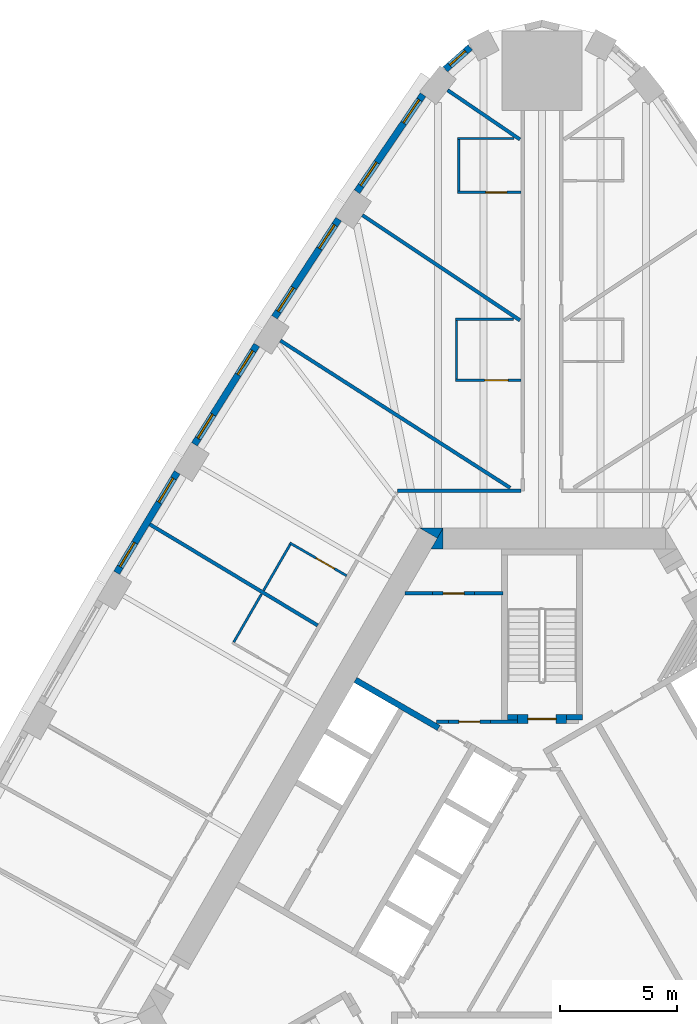
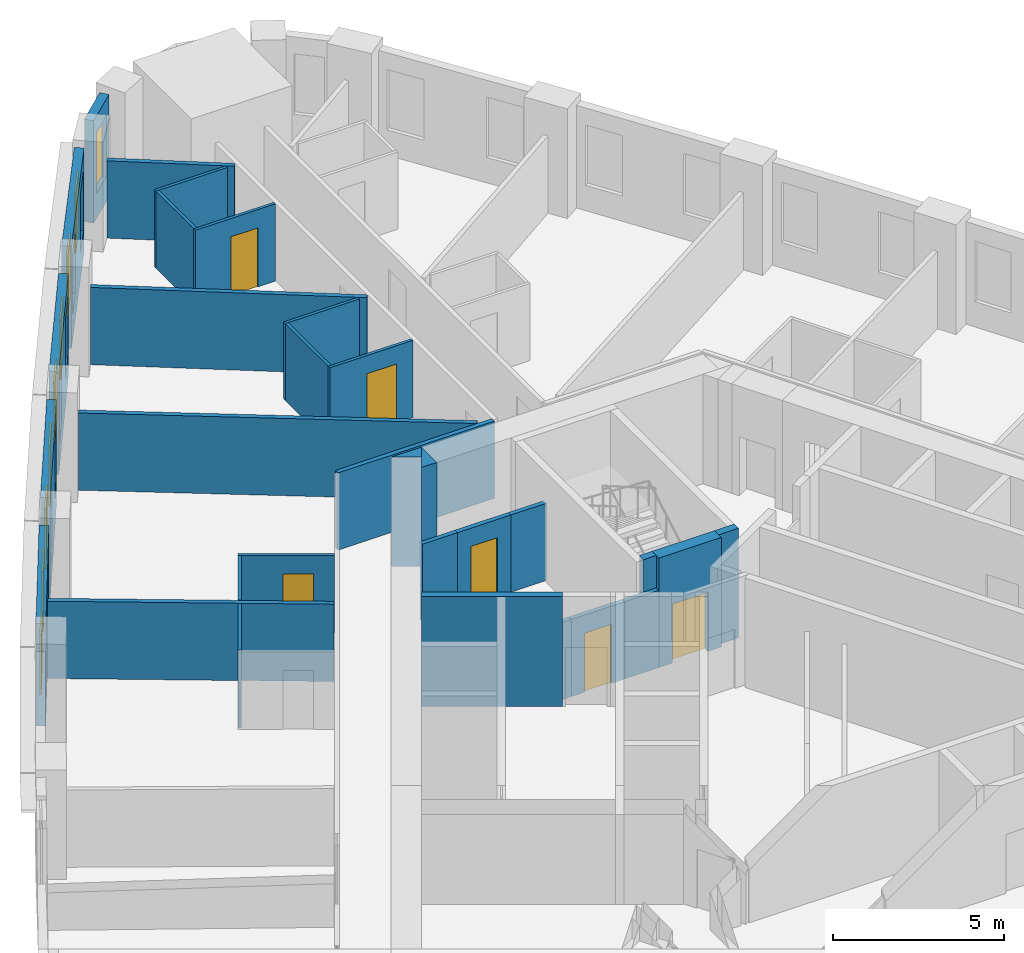
# One storey, part 9 of 12: 31 walls, 9 windows, 6 doors, 15 openings.
"""IFC4 building model written with IfcOpenShell, lengths in metres."""

from ifc_helpers import new_model, si_unit, direction, frame, frame_2d, origin, place, context, subcontext, project, spatial, polyline, rectangle, outline, extrude, material, layer, layer_set, type_object, element, fill, save


model = new_model("IFC4")

# Units and contexts
model_context = context("Model", 3, precision=1e-05, world=origin(), true_north=direction((0.0, 1.0)))
body_context = subcontext(model_context, "Body", "Model", "MODEL_VIEW")
ifc_project = project(units=[si_unit("LENGTHUNIT", "METRE"), si_unit("AREAUNIT", "SQUARE_METRE"), si_unit("VOLUMEUNIT", "CUBIC_METRE"), si_unit("PLANEANGLEUNIT", "RADIAN"), si_unit("MASSUNIT", "GRAM", prefix="KILO")], contexts=[model_context])

# Site, building, storey
site_placement = place(None, origin())
site = spatial("IfcSite", under=ifc_project, at=site_placement, CompositionType="ELEMENT")
building_placement = place(site_placement, origin())
building = spatial("IfcBuilding", under=site, at=building_placement, Name="Mestral Congress Tower", CompositionType="ELEMENT")
storey_placement = place(building_placement, frame((0.0, 0.0, 66.60009765625)))
storey = spatial("IfcBuildingStorey", under=building, at=storey_placement, Name="L15", CompositionType="ELEMENT", Elevation=66.60009765625)

# Walls
ifc_material_1 = material(Name="Fire-rated board partition")
ifc_layer_1 = layer(ifc_material_1, 0.14990234375)
ifc_layer_set_1 = layer_set([ifc_layer_1], Name="Fire-rated board partition")
wall_type_1 = type_object("IfcWallType", Name="Core partition 150", PredefinedType="PARTITIONING", material=ifc_layer_set_1)
wall_1_placement = place(storey_placement, frame((-3.99658203125, 8.625244140625, 0.0), z_axis=(0.0, 0.0, 1.0), x_axis=(-1.0, 0.0, 0.0)))
element("IfcWall", 1, at=wall_1_placement, inside=storey, type_object=wall_type_1, Name="L15 core wall", PredefinedType="PARTITIONING", context=body_context, shape_type="SweptSolid", body=[
    extrude(rectangle(XDim=0.502197265625, YDim=0.14990234375, at=frame_2d((0.2509765625, 0.0))), origin(), (0.0, 0.0, 1.0), 2.75),
])
wall_2_placement = place(storey_placement, frame((-5.85107421875, 14.10205078125, 0.0), z_axis=(0.0, 0.0, 1.0), x_axis=(1.0, 0.0, 0.0)))
element("IfcWall", 2, at=wall_2_placement, inside=storey, type_object=wall_type_1, Name="L15 core wall", PredefinedType="PARTITIONING", context=body_context, shape_type="SweptSolid", body=[
    extrude(rectangle(XDim=1.18017578125, YDim=0.14990234375, at=frame_2d((0.590087890625, 0.0))), origin(), (0.0, 0.0, 1.0), 2.75),
])
wall_3_placement = place(storey_placement, frame((-2.87060546875, 14.10205078125, 0.0), z_axis=(0.0, 0.0, 1.0), x_axis=(1.0, 0.0, 0.0)))
element("IfcWall", 3, at=wall_3_placement, inside=storey, type_object=wall_type_1, Name="L15 core wall", PredefinedType="PARTITIONING", context=body_context, shape_type="SweptSolid", body=[
    extrude(rectangle(XDim=1.195556640625, YDim=0.14990234375, at=frame_2d((0.59765625, 0.0))), origin(), (0.0, 0.0, 1.0), 2.75),
])
wall_4_placement = place(storey_placement, frame((-2.1962890625, 8.62548828125, 0.0), z_axis=(0.0, 0.0, 1.0), x_axis=(1.0, 0.0, 0.0)))
element("IfcWall", 4, at=wall_4_placement, inside=storey, type_object=wall_type_1, Name="L15 core wall", PredefinedType="PARTITIONING", context=body_context, shape_type="SweptSolid", body=[
    extrude(rectangle(XDim=1.146240234375, YDim=0.14990234375, at=frame_2d((0.5732421875, 0.0))), origin(), (0.0, 0.0, 1.0), 2.75),
])

# Wall, opening, door
wall_5_placement = place(storey_placement, frame((-2.1962890625, 8.625, 0.0), z_axis=(0.0, 0.0, 1.0), x_axis=(-1.0, 0.0, 0.0)))
wall_5 = element("IfcWall", 5, at=wall_5_placement, inside=storey, type_object=wall_type_1, Name="L15 door wall", PredefinedType="PARTITIONING", context=body_context, shape_type="SweptSolid", body=[
    extrude(rectangle(XDim=1.800048828125, YDim=0.14990234375, at=frame_2d((0.89990234375, 0.0))), origin(), (0.0, 0.0, 1.0), 2.75),
])
opening_1_placement = place(wall_5_placement, frame((0.449951171875, 0.0, 0.0)))
opening_1 = element("IfcOpeningElement", 6, at=opening_1_placement, cuts=wall_5, Name="Opening TD2", PredefinedType="OPENING", context=body_context, shape_type="SweptSolid", body=[
    extrude(rectangle(XDim=0.89990234375, YDim=2.10009765625, at=frame_2d((0.449951171875, 1.050048828125))), frame((0.0, 0.0849609375, 0.0), z_axis=(0.0, -1.0, 0.0), x_axis=(1.0, 0.0, 0.0)), (0.0, 0.0, 1.0), 0.169921875),
])
ifc_material_2 = material(Name="Fire-rated steel door set", Category="steel")
door_type_1 = type_object("IfcDoorType", Name="Core door SR 900x2100", OperationType="SINGLE_SWING_LEFT", PredefinedType="DOOR", material=ifc_material_2)
door_1_placement = place(opening_1_placement, origin())
door_1 = element("IfcDoor", 7, at=door_1_placement, inside=storey, type_object=door_type_1, Name="Door TD2", OperationType="SINGLE_SWING_LEFT", OverallHeight=2.10009765625, OverallWidth=0.89990234375, PredefinedType="DOOR", context=body_context, shape_type="SweptSolid", body=[
    extrude(rectangle(XDim=0.89990234375, YDim=2.10009765625, at=frame_2d((0.449951171875, 1.050048828125))), frame((0.0, 0.02490234375, 0.0), z_axis=(0.0, -1.0, 0.0), x_axis=(1.0, 0.0, 0.0)), (0.0, 0.0, 1.0), 0.050048828125),
])
fill(opening_1, door_1)

wall_6_placement = place(storey_placement, frame((-2.870849609375, 14.10205078125, 0.0), z_axis=(0.0, 0.0, 1.0), x_axis=(-1.0, 0.0, 0.0)))
wall_6 = element("IfcWall", 8, at=wall_6_placement, inside=storey, type_object=wall_type_1, Name="L15 door wall", PredefinedType="PARTITIONING", context=body_context, shape_type="SweptSolid", body=[
    extrude(rectangle(XDim=1.800048828125, YDim=0.14990234375, at=frame_2d((0.89990234375, 0.0))), origin(), (0.0, 0.0, 1.0), 2.75),
])
opening_2_placement = place(wall_6_placement, frame((0.449951171875, 0.0, 0.0)))
opening_2 = element("IfcOpeningElement", 9, at=opening_2_placement, cuts=wall_6, Name="Opening SD-WS2", PredefinedType="OPENING", context=body_context, shape_type="SweptSolid", body=[
    extrude(rectangle(XDim=0.89990234375, YDim=2.10009765625, at=frame_2d((0.449951171875, 1.050048828125))), frame((0.0, 0.0849609375, 0.0), z_axis=(0.0, -1.0, 0.0), x_axis=(1.0, 0.0, 0.0)), (0.0, 0.0, 1.0), 0.169921875),
])
door_2_placement = place(opening_2_placement, origin())
door_2 = element("IfcDoor", 10, at=door_2_placement, inside=storey, type_object=door_type_1, Name="Door SD-WS2", OperationType="SINGLE_SWING_LEFT", OverallHeight=2.10009765625, OverallWidth=0.89990234375, PredefinedType="DOOR", context=body_context, shape_type="SweptSolid", body=[
    extrude(rectangle(XDim=0.89990234375, YDim=2.10009765625, at=frame_2d((0.449951171875, 1.050048828125))), frame((0.0, 0.02490234375, 0.0), z_axis=(0.0, -1.0, 0.0), x_axis=(1.0, 0.0, 0.0)), (0.0, 0.0, 1.0), 0.050048828125),
])
fill(opening_2, door_2)

# Walls
ifc_material_3 = material(Name="Concrete C60/75", Category="concrete")
ifc_layer_2 = layer(ifc_material_3, 0.89990234375)
ifc_layer_set_2 = layer_set([ifc_layer_2], Name="Concrete C60/75")
wall_type_2 = type_object("IfcWallType", Name="Core wall RC 900", PredefinedType="SOLIDWALL", material=ifc_layer_set_2)
placement = place(storey_placement, origin())
element("IfcWall", 11, at=placement, inside=storey, type_object=wall_type_2, Name="L15 core wall", PredefinedType="SOLIDWALL", context=body_context, shape_type="SweptSolid", body=[
    extrude(outline(polyline([(-4.214599609375, 16.89990234375), (-4.46875, 16.460205078125), (-5.230712890625, 16.89990234375), (-4.214599609375, 16.89990234375)])), origin(), (0.0, 0.0, 1.0), 3.89990234375),
])
element("IfcWall", 12, at=placement, inside=storey, type_object=wall_type_2, Name="L15 core wall", PredefinedType="SOLIDWALL", context=body_context, shape_type="SweptSolid", body=[
    extrude(outline(polyline([(-4.734375, 16.0), (-4.226318359375, 16.8798828125), (-4.226318359375, 16.0), (-4.734375, 16.0)])), origin(), (0.0, 0.0, 1.0), 3.89990234375),
])

# Wall, opening, window
ifc_material_4 = material(Name="Precast concrete C40/50 with limestone facing", Category="masonry")
ifc_layer_3 = layer(ifc_material_4, 0.2900390625)
ifc_layer_set_3 = layer_set([ifc_layer_3], Name="Precast concrete C40/50 with limestone facing")
wall_type_3 = type_object("IfcWallType", Name="Facade stone wall 290", PredefinedType="SOLIDWALL", material=ifc_layer_set_3)
wall_9_placement = place(storey_placement, frame((-3.064453125, 37.395263671875, 0.0), z_axis=(0.0, 0.0, 1.0), x_axis=(-0.749812680302, -0.661650167731, 0.0)))
wall_9 = element("IfcWall", 13, at=wall_9_placement, inside=storey, type_object=wall_type_3, Name="Facade wall K1-3", PredefinedType="SOLIDWALL", context=body_context, shape_type="SweptSolid", body=[
    extrude(rectangle(XDim=1.4150390625, YDim=0.2900390625, at=frame_2d((0.70751953125, 0.0))), origin(), (0.0, 0.0, 1.0), 3.64990234375),
])
opening_3_placement = place(wall_9_placement, frame((0.257568359375, 0.0, 0.89990234375)))
opening_3 = element("IfcOpeningElement", 14, at=opening_3_placement, cuts=wall_9, Name="Opening W3", PredefinedType="OPENING", context=body_context, shape_type="SweptSolid", body=[
    extrude(rectangle(XDim=0.89990234375, YDim=2.14990234375, at=frame_2d((0.449951171875, 1.074951171875))), frame((0.0, 0.155029296875, 0.0), z_axis=(0.0, -1.0, 0.0), x_axis=(1.0, 0.0, 0.0)), (0.0, 0.0, 1.0), 0.31005859375),
])
ifc_material_5 = material(Name="Clear low-emissivity double glazing", Category="glass")
window_type_1 = type_object("IfcWindowType", Name="Facade punched window 900 x 2150 sill 900", PartitioningType="SINGLE_PANEL", PredefinedType="WINDOW", material=ifc_material_5)
window_1_placement = place(opening_3_placement, origin())
window_1 = element("IfcWindow", 15, at=window_1_placement, inside=storey, type_object=window_type_1, Name="Window K1-3", OverallHeight=2.14990234375, OverallWidth=0.89990234375, PartitioningType="SINGLE_PANEL", PredefinedType="WINDOW", context=body_context, shape_type="SweptSolid", body=[
    extrude(rectangle(XDim=0.89990234375, YDim=2.14990234375, at=frame_2d((0.449951171875, 1.074951171875))), frame((0.0, 0.01513671875, 0.0), z_axis=(0.0, -1.0, 0.0), x_axis=(1.0, 0.0, 0.0)), (0.0, 0.0, 1.0), 0.06005859375),
])
fill(opening_3, window_1)

# Wall, openings, windows
wall_10_placement = place(storey_placement, frame((-5.078369140625, 35.37646484375, 0.0), z_axis=(0.0, 0.0, 1.0), x_axis=(-0.562610153679, -0.826722332454, 0.0)))
wall_10 = element("IfcWall", 16, at=wall_10_placement, inside=storey, type_object=wall_type_3, Name="Facade wall F2-00", PredefinedType="SOLIDWALL", context=body_context, shape_type="SweptSolid", body=[
    extrude(rectangle(XDim=5.005615234375, YDim=0.2900390625, at=frame_2d((2.5029296875, 0.0))), origin(), (0.0, 0.0, 1.0), 3.64990234375),
])
opening_4_placement = place(wall_10_placement, frame((0.26513671875, 0.0, 0.89990234375)))
opening_4 = element("IfcOpeningElement", 17, at=opening_4_placement, cuts=wall_10, Name="Opening W1", PredefinedType="OPENING", context=body_context, shape_type="SweptSolid", body=[
    extrude(rectangle(XDim=1.199951171875, YDim=2.14990234375, at=frame_2d((0.60009765625, 1.074951171875))), frame((0.0, 0.155029296875, 0.0), z_axis=(0.0, -1.0, 0.0), x_axis=(1.0, 0.0, 0.0)), (0.0, 0.0, 1.0), 0.31005859375),
])
opening_5_placement = place(wall_10_placement, frame((3.495361328125, 0.0, 0.89990234375)))
opening_5 = element("IfcOpeningElement", 18, at=opening_5_placement, cuts=wall_10, Name="Opening W1", PredefinedType="OPENING", context=body_context, shape_type="SweptSolid", body=[
    extrude(rectangle(XDim=1.199951171875, YDim=2.14990234375, at=frame_2d((0.60009765625, 1.074951171875))), frame((0.0, 0.155029296875, 0.0), z_axis=(0.0, -1.0, 0.0), x_axis=(1.0, 0.0, 0.0)), (0.0, 0.0, 1.0), 0.31005859375),
])
window_type_2 = type_object("IfcWindowType", Name="Facade punched window 1200 x 2150 sill 900", PartitioningType="DOUBLE_PANEL_VERTICAL", PredefinedType="WINDOW", material=ifc_material_5)
window_2_placement = place(opening_4_placement, origin())
window_2 = element("IfcWindow", 19, at=window_2_placement, inside=storey, type_object=window_type_2, Name="Window F2-00a", OverallHeight=2.14990234375, OverallWidth=1.199951171875, PartitioningType="DOUBLE_PANEL_VERTICAL", PredefinedType="WINDOW", context=body_context, shape_type="SweptSolid", body=[
    extrude(rectangle(XDim=1.199951171875, YDim=2.14990234375, at=frame_2d((0.60009765625, 1.074951171875))), frame((0.0, 0.01513671875, 0.0), z_axis=(0.0, -1.0, 0.0), x_axis=(1.0, 0.0, 0.0)), (0.0, 0.0, 1.0), 0.06005859375),
])
fill(opening_4, window_2)
window_3_placement = place(opening_5_placement, origin())
window_3 = element("IfcWindow", 20, at=window_3_placement, inside=storey, type_object=window_type_2, Name="Window F2-00b", OverallHeight=2.14990234375, OverallWidth=1.199951171875, PartitioningType="DOUBLE_PANEL_VERTICAL", PredefinedType="WINDOW", context=body_context, shape_type="SweptSolid", body=[
    extrude(rectangle(XDim=1.199951171875, YDim=2.14990234375, at=frame_2d((0.60009765625, 1.074951171875))), frame((0.0, 0.01513671875, 0.0), z_axis=(0.0, -1.0, 0.0), x_axis=(1.0, 0.0, 0.0)), (0.0, 0.0, 1.0), 0.06005859375),
])
fill(opening_5, window_3)

wall_11_placement = place(storey_placement, frame((-8.675537109375, 30.067626953125, 0.0), z_axis=(0.0, 0.0, 1.0), x_axis=(-0.547204617628, -0.836998868845, 0.0)))
wall_11 = element("IfcWall", 21, at=wall_11_placement, inside=storey, type_object=wall_type_3, Name="Facade wall F2-01", PredefinedType="SOLIDWALL", context=body_context, shape_type="SweptSolid", body=[
    extrude(rectangle(XDim=4.998291015625, YDim=0.2900390625, at=frame_2d((2.4990234375, 0.0))), origin(), (0.0, 0.0, 1.0), 3.64990234375),
])
opening_6_placement = place(wall_11_placement, frame((0.297119140625, 0.0, 0.89990234375)))
opening_6 = element("IfcOpeningElement", 22, at=opening_6_placement, cuts=wall_11, Name="Opening W1", PredefinedType="OPENING", context=body_context, shape_type="SweptSolid", body=[
    extrude(rectangle(XDim=1.199951171875, YDim=2.14990234375, at=frame_2d((0.60009765625, 1.074951171875))), frame((0.0, 0.155029296875, 0.0), z_axis=(0.0, -1.0, 0.0), x_axis=(1.0, 0.0, 0.0)), (0.0, 0.0, 1.0), 0.31005859375),
])
opening_7_placement = place(wall_11_placement, frame((3.501220703125, 0.0, 0.89990234375)))
opening_7 = element("IfcOpeningElement", 23, at=opening_7_placement, cuts=wall_11, Name="Opening W1", PredefinedType="OPENING", context=body_context, shape_type="SweptSolid", body=[
    extrude(rectangle(XDim=1.199951171875, YDim=2.14990234375, at=frame_2d((0.60009765625, 1.074951171875))), frame((0.0, 0.155029296875, 0.0), z_axis=(0.0, -1.0, 0.0), x_axis=(1.0, 0.0, 0.0)), (0.0, 0.0, 1.0), 0.31005859375),
])
window_4_placement = place(opening_6_placement, origin())
window_4 = element("IfcWindow", 24, at=window_4_placement, inside=storey, type_object=window_type_2, Name="Window F2-01a", OverallHeight=2.14990234375, OverallWidth=1.199951171875, PartitioningType="DOUBLE_PANEL_VERTICAL", PredefinedType="WINDOW", context=body_context, shape_type="SweptSolid", body=[
    extrude(rectangle(XDim=1.199951171875, YDim=2.14990234375, at=frame_2d((0.60009765625, 1.074951171875))), frame((0.0, 0.01513671875, 0.0), z_axis=(0.0, -1.0, 0.0), x_axis=(1.0, 0.0, 0.0)), (0.0, 0.0, 1.0), 0.06005859375),
])
fill(opening_6, window_4)
window_5_placement = place(opening_7_placement, origin())
window_5 = element("IfcWindow", 25, at=window_5_placement, inside=storey, type_object=window_type_2, Name="Window F2-01b", OverallHeight=2.14990234375, OverallWidth=1.199951171875, PartitioningType="DOUBLE_PANEL_VERTICAL", PredefinedType="WINDOW", context=body_context, shape_type="SweptSolid", body=[
    extrude(rectangle(XDim=1.199951171875, YDim=2.14990234375, at=frame_2d((0.60009765625, 1.074951171875))), frame((0.0, 0.01513671875, 0.0), z_axis=(0.0, -1.0, 0.0), x_axis=(1.0, 0.0, 0.0)), (0.0, 0.0, 1.0), 0.06005859375),
])
fill(opening_7, window_5)

wall_12_placement = place(storey_placement, frame((-12.169921875, 24.69921875, 0.0), z_axis=(0.0, 0.0, 1.0), x_axis=(-0.531688286542, -0.846940119462, 0.0)))
wall_12 = element("IfcWall", 26, at=wall_12_placement, inside=storey, type_object=wall_type_3, Name="Facade wall F2-02", PredefinedType="SOLIDWALL", context=body_context, shape_type="SweptSolid", body=[
    extrude(rectangle(XDim=4.998291015625, YDim=0.2900390625, at=frame_2d((2.4990234375, 0.0))), origin(), (0.0, 0.0, 1.0), 3.64990234375),
])
opening_8_placement = place(wall_12_placement, frame((0.297119140625, 0.0, 0.89990234375)))
opening_8 = element("IfcOpeningElement", 27, at=opening_8_placement, cuts=wall_12, Name="Opening W1", PredefinedType="OPENING", context=body_context, shape_type="SweptSolid", body=[
    extrude(rectangle(XDim=1.199951171875, YDim=2.14990234375, at=frame_2d((0.60009765625, 1.074951171875))), frame((0.0, 0.155029296875, 0.0), z_axis=(0.0, -1.0, 0.0), x_axis=(1.0, 0.0, 0.0)), (0.0, 0.0, 1.0), 0.31005859375),
])
opening_9_placement = place(wall_12_placement, frame((3.501220703125, 0.0, 0.89990234375)))
opening_9 = element("IfcOpeningElement", 28, at=opening_9_placement, cuts=wall_12, Name="Opening W1", PredefinedType="OPENING", context=body_context, shape_type="SweptSolid", body=[
    extrude(rectangle(XDim=1.199951171875, YDim=2.14990234375, at=frame_2d((0.60009765625, 1.074951171875))), frame((0.0, 0.155029296875, 0.0), z_axis=(0.0, -1.0, 0.0), x_axis=(1.0, 0.0, 0.0)), (0.0, 0.0, 1.0), 0.31005859375),
])
window_6_placement = place(opening_8_placement, origin())
window_6 = element("IfcWindow", 29, at=window_6_placement, inside=storey, type_object=window_type_2, Name="Window F2-02a", OverallHeight=2.14990234375, OverallWidth=1.199951171875, PartitioningType="DOUBLE_PANEL_VERTICAL", PredefinedType="WINDOW", context=body_context, shape_type="SweptSolid", body=[
    extrude(rectangle(XDim=1.199951171875, YDim=2.14990234375, at=frame_2d((0.60009765625, 1.074951171875))), frame((0.0, 0.01513671875, 0.0), z_axis=(0.0, -1.0, 0.0), x_axis=(1.0, 0.0, 0.0)), (0.0, 0.0, 1.0), 0.06005859375),
])
fill(opening_8, window_6)
window_7_placement = place(opening_9_placement, origin())
window_7 = element("IfcWindow", 30, at=window_7_placement, inside=storey, type_object=window_type_2, Name="Window F2-02b", OverallHeight=2.14990234375, OverallWidth=1.199951171875, PartitioningType="DOUBLE_PANEL_VERTICAL", PredefinedType="WINDOW", context=body_context, shape_type="SweptSolid", body=[
    extrude(rectangle(XDim=1.199951171875, YDim=2.14990234375, at=frame_2d((0.60009765625, 1.074951171875))), frame((0.0, 0.01513671875, 0.0), z_axis=(0.0, -1.0, 0.0), x_axis=(1.0, 0.0, 0.0)), (0.0, 0.0, 1.0), 0.06005859375),
])
fill(opening_9, window_7)

wall_13_placement = place(storey_placement, frame((-15.564453125, 19.267333984375, 0.0), z_axis=(0.0, 0.0, 1.0), x_axis=(-0.515938796285, -0.856625448191, 0.0)))
wall_13 = element("IfcWall", 31, at=wall_13_placement, inside=storey, type_object=wall_type_3, Name="Facade wall F2-03", PredefinedType="SOLIDWALL", context=body_context, shape_type="SweptSolid", body=[
    extrude(rectangle(XDim=4.998291015625, YDim=0.2900390625, at=frame_2d((2.4990234375, 0.0))), origin(), (0.0, 0.0, 1.0), 3.64990234375),
])
opening_10_placement = place(wall_13_placement, frame((0.297119140625, 0.0, 0.89990234375)))
opening_10 = element("IfcOpeningElement", 32, at=opening_10_placement, cuts=wall_13, Name="Opening W1", PredefinedType="OPENING", context=body_context, shape_type="SweptSolid", body=[
    extrude(rectangle(XDim=1.199951171875, YDim=2.14990234375, at=frame_2d((0.60009765625, 1.074951171875))), frame((0.0, 0.155029296875, 0.0), z_axis=(0.0, -1.0, 0.0), x_axis=(1.0, 0.0, 0.0)), (0.0, 0.0, 1.0), 0.31005859375),
])
opening_11_placement = place(wall_13_placement, frame((3.501220703125, 0.0, 0.89990234375)))
opening_11 = element("IfcOpeningElement", 33, at=opening_11_placement, cuts=wall_13, Name="Opening W1", PredefinedType="OPENING", context=body_context, shape_type="SweptSolid", body=[
    extrude(rectangle(XDim=1.199951171875, YDim=2.14990234375, at=frame_2d((0.60009765625, 1.074951171875))), frame((0.0, 0.155029296875, 0.0), z_axis=(0.0, -1.0, 0.0), x_axis=(1.0, 0.0, 0.0)), (0.0, 0.0, 1.0), 0.31005859375),
])
window_8_placement = place(opening_10_placement, origin())
window_8 = element("IfcWindow", 34, at=window_8_placement, inside=storey, type_object=window_type_2, Name="Window F2-03a", OverallHeight=2.14990234375, OverallWidth=1.199951171875, PartitioningType="DOUBLE_PANEL_VERTICAL", PredefinedType="WINDOW", context=body_context, shape_type="SweptSolid", body=[
    extrude(rectangle(XDim=1.199951171875, YDim=2.14990234375, at=frame_2d((0.60009765625, 1.074951171875))), frame((0.0, 0.01513671875, 0.0), z_axis=(0.0, -1.0, 0.0), x_axis=(1.0, 0.0, 0.0)), (0.0, 0.0, 1.0), 0.06005859375),
])
fill(opening_10, window_8)
window_9_placement = place(opening_11_placement, origin())
window_9 = element("IfcWindow", 35, at=window_9_placement, inside=storey, type_object=window_type_2, Name="Window F2-03b", OverallHeight=2.14990234375, OverallWidth=1.199951171875, PartitioningType="DOUBLE_PANEL_VERTICAL", PredefinedType="WINDOW", context=body_context, shape_type="SweptSolid", body=[
    extrude(rectangle(XDim=1.199951171875, YDim=2.14990234375, at=frame_2d((0.60009765625, 1.074951171875))), frame((0.0, 0.01513671875, 0.0), z_axis=(0.0, -1.0, 0.0), x_axis=(1.0, 0.0, 0.0)), (0.0, 0.0, 1.0), 0.06005859375),
])
fill(opening_11, window_9)

# Wall, opening, door
ifc_material_6 = material(Name="Gypsum board partition on metal studs with mineral wool", Category="composite")
ifc_layer_4 = layer(ifc_material_6, 0.10009765625)
ifc_layer_set_4 = layer_set([ifc_layer_4], Name="Gypsum board partition on metal studs with mineral wool")
wall_type_4 = type_object("IfcWallType", Name="Hotel partition wall 100", PredefinedType="PARTITIONING", material=ifc_layer_set_4)
wall_14_placement = place(storey_placement, frame((-3.60009765625, 31.20849609375, 0.0), z_axis=(0.0, 0.0, 1.0), x_axis=(1.0, 0.0, 0.0)))
wall_14 = element("IfcWall", 36, at=wall_14_placement, inside=storey, type_object=wall_type_4, Name="L15-h-pod16a", PredefinedType="PARTITIONING", context=body_context, shape_type="SweptSolid", body=[
    extrude(rectangle(XDim=2.7001953125, YDim=0.10009765625, at=frame_2d((1.35009765625, 0.0))), origin(), (0.0, 0.0, 1.0), 2.75),
])
opening_12_placement = place(wall_14_placement, frame((1.199951171875, 0.0, 0.0)))
opening_12 = element("IfcOpeningElement", 37, at=opening_12_placement, cuts=wall_14, Name="Opening H04-032", PredefinedType="OPENING", context=body_context, shape_type="SweptSolid", body=[
    extrude(rectangle(XDim=0.89990234375, YDim=2.10009765625, at=frame_2d((0.449951171875, 1.050048828125))), frame((0.0, 0.06005859375, 0.0), z_axis=(0.0, -1.0, 0.0), x_axis=(1.0, 0.0, 0.0)), (0.0, 0.0, 1.0), 0.1201171875),
])
ifc_material_7 = material(Name="Timber veneer door leaf in timber frame", Category="wood")
door_type_2 = type_object("IfcDoorType", Name="Bathroom door 900", OperationType="SINGLE_SWING_LEFT", PredefinedType="DOOR", material=ifc_material_7)
door_3_placement = place(opening_12_placement, origin())
door_3 = element("IfcDoor", 38, at=door_3_placement, inside=storey, type_object=door_type_2, Name="L15-h-d032", OperationType="SINGLE_SWING_LEFT", OverallHeight=2.10009765625, OverallWidth=0.89990234375, PredefinedType="DOOR", context=body_context, shape_type="SweptSolid", body=[
    extrude(rectangle(XDim=0.89990234375, YDim=2.10009765625, at=frame_2d((0.449951171875, 1.050048828125))), frame((0.0, 0.02490234375, 0.0), z_axis=(0.0, -1.0, 0.0), x_axis=(1.0, 0.0, 0.0)), (0.0, 0.0, 1.0), 0.050048828125),
])
fill(opening_12, door_3)

# Walls
wall_15_placement = place(storey_placement, frame((-3.550048828125, 31.258544921875, 0.0), z_axis=(0.0, 0.0, 1.0), x_axis=(0.0, 1.0, 0.0)))
element("IfcWall", 39, at=wall_15_placement, inside=storey, type_object=wall_type_4, Name="L15-h-pod16b", PredefinedType="PARTITIONING", context=body_context, shape_type="SweptSolid", body=[
    extrude(rectangle(XDim=2.199951171875, YDim=0.10009765625, at=frame_2d((1.10009765625, 0.0))), origin(), (0.0, 0.0, 1.0), 2.75),
])
wall_16_placement = place(storey_placement, frame((-1.199951171875, 33.508544921875, 0.0), z_axis=(0.0, 0.0, 1.0), x_axis=(-1.0, 0.0, 0.0)))
element("IfcWall", 40, at=wall_16_placement, inside=storey, type_object=wall_type_4, Name="L15-h-pod16c", PredefinedType="PARTITIONING", context=body_context, shape_type="SweptSolid", body=[
    extrude(rectangle(XDim=2.400146484375, YDim=0.10009765625, at=frame_2d((1.2001953125, 0.0))), origin(), (0.0, 0.0, 1.0), 2.75),
])

# Wall, opening, door
wall_17_placement = place(storey_placement, frame((-3.699951171875, 23.194580078125, 0.0), z_axis=(0.0, 0.0, 1.0), x_axis=(1.0, 0.0, 0.0)))
wall_17 = element("IfcWall", 41, at=wall_17_placement, inside=storey, type_object=wall_type_4, Name="L15-h-pod17a", PredefinedType="PARTITIONING", context=body_context, shape_type="SweptSolid", body=[
    extrude(rectangle(XDim=2.800048828125, YDim=0.10009765625, at=frame_2d((1.39990234375, 0.0))), origin(), (0.0, 0.0, 1.0), 2.75),
])
opening_13_placement = place(wall_17_placement, frame((1.25, 0.0, 0.0)))
opening_13 = element("IfcOpeningElement", 42, at=opening_13_placement, cuts=wall_17, Name="Opening H04-034", PredefinedType="OPENING", context=body_context, shape_type="SweptSolid", body=[
    extrude(rectangle(XDim=1.0, YDim=2.10009765625, at=frame_2d((0.5, 1.050048828125))), frame((0.0, 0.06005859375, 0.0), z_axis=(0.0, -1.0, 0.0), x_axis=(1.0, 0.0, 0.0)), (0.0, 0.0, 1.0), 0.1201171875),
])
door_type_3 = type_object("IfcDoorType", Name="Accessible bathroom door 1000", OperationType="SINGLE_SWING_LEFT", PredefinedType="DOOR", material=ifc_material_7)
door_4_placement = place(opening_13_placement, origin())
door_4 = element("IfcDoor", 43, at=door_4_placement, inside=storey, type_object=door_type_3, Name="L15-h-d034", OperationType="SINGLE_SWING_LEFT", OverallHeight=2.10009765625, OverallWidth=1.0, PredefinedType="DOOR", context=body_context, shape_type="SweptSolid", body=[
    extrude(rectangle(XDim=1.0, YDim=2.10009765625, at=frame_2d((0.5, 1.050048828125))), frame((0.0, 0.02490234375, 0.0), z_axis=(0.0, -1.0, 0.0), x_axis=(1.0, 0.0, 0.0)), (0.0, 0.0, 1.0), 0.050048828125),
])
fill(opening_13, door_4)

# Walls
wall_18_placement = place(storey_placement, frame((-3.64990234375, 23.24462890625, 0.0), z_axis=(0.0, 0.0, 1.0), x_axis=(0.0, 1.0, 0.0)))
element("IfcWall", 44, at=wall_18_placement, inside=storey, type_object=wall_type_4, Name="L15-h-pod17b", PredefinedType="PARTITIONING", context=body_context, shape_type="SweptSolid", body=[
    extrude(rectangle(XDim=2.5, YDim=0.10009765625, at=frame_2d((1.25, 0.0))), origin(), (0.0, 0.0, 1.0), 2.75),
])
wall_19_placement = place(storey_placement, frame((-1.2099609375, 25.794677734375, 0.0), z_axis=(0.0, 0.0, 1.0), x_axis=(-1.0, 0.0, 0.0)))
element("IfcWall", 45, at=wall_19_placement, inside=storey, type_object=wall_type_4, Name="L15-h-pod17c", PredefinedType="PARTITIONING", context=body_context, shape_type="SweptSolid", body=[
    extrude(rectangle(XDim=2.489990234375, YDim=0.10009765625, at=frame_2d((1.2451171875, 0.0))), origin(), (0.0, 0.0, 1.0), 2.75),
])

# Wall, opening, door
wall_20_placement = place(storey_placement, frame((-8.336669921875, 14.860595703125, 0.0), z_axis=(0.0, 0.0, 1.0), x_axis=(-0.866034573852, 0.49998411664, 0.0)))
wall_20 = element("IfcWall", 46, at=wall_20_placement, inside=storey, type_object=wall_type_4, Name="L15-h-pod18a", PredefinedType="PARTITIONING", context=body_context, shape_type="SweptSolid", body=[
    extrude(rectangle(XDim=2.7998046875, YDim=0.10009765625, at=frame_2d((1.39990234375, 0.0))), origin(), (0.0, 0.0, 1.0), 2.75),
])
opening_14_placement = place(wall_20_placement, frame((0.60009765625, 0.0, 0.0)))
opening_14 = element("IfcOpeningElement", 47, at=opening_14_placement, cuts=wall_20, Name="Opening H04-036", PredefinedType="OPENING", context=body_context, shape_type="SweptSolid", body=[
    extrude(rectangle(XDim=0.89990234375, YDim=2.10009765625, at=frame_2d((0.449951171875, 1.050048828125))), frame((0.0, 0.06005859375, 0.0), z_axis=(0.0, -1.0, 0.0), x_axis=(1.0, 0.0, 0.0)), (0.0, 0.0, 1.0), 0.1201171875),
])
door_5_placement = place(opening_14_placement, origin())
door_5 = element("IfcDoor", 48, at=door_5_placement, inside=storey, type_object=door_type_2, Name="L15-h-d036", OperationType="SINGLE_SWING_RIGHT", OverallHeight=2.10009765625, OverallWidth=0.89990234375, PredefinedType="DOOR", context=body_context, shape_type="SweptSolid", body=[
    extrude(rectangle(XDim=0.89990234375, YDim=2.10009765625, at=frame_2d((0.449951171875, 1.050048828125))), frame((0.0, 0.02490234375, 0.0), z_axis=(0.0, -1.0, 0.0), x_axis=(1.0, 0.0, 0.0)), (0.0, 0.0, 1.0), 0.050048828125),
])
fill(opening_14, door_5)

# Walls
wall_21_placement = place(storey_placement, frame((-10.7431640625, 16.192138671875, 0.0), z_axis=(0.0, 0.0, 1.0), x_axis=(-0.500014167291, -0.866017224141, 0.0)))
element("IfcWall", 49, at=wall_21_placement, inside=storey, type_object=wall_type_4, Name="L15-h-pod18b", PredefinedType="PARTITIONING", context=body_context, shape_type="SweptSolid", body=[
    extrude(rectangle(XDim=2.27001953125, YDim=0.10009765625, at=frame_2d((1.135009765625, 0.0))), origin(), (0.0, 0.0, 1.0), 2.75),
])
wall_22_placement = place(storey_placement, frame((-13.146728515625, 12.029052734375, 0.0), z_axis=(0.0, 0.0, 1.0), x_axis=(0.499939447199, 0.866060361138, 0.0)))
element("IfcWall", 50, at=wall_22_placement, inside=storey, type_object=wall_type_4, Name="L15-h-pod19b", PredefinedType="PARTITIONING", context=body_context, shape_type="SweptSolid", body=[
    extrude(rectangle(XDim=2.369873046875, YDim=0.10009765625, at=frame_2d((1.18505859375, 0.0))), origin(), (0.0, 0.0, 1.0), 2.75),
])
ifc_layer_5 = layer(ifc_material_6, 0.14990234375)
ifc_layer_set_5 = layer_set([ifc_layer_5], Name="Gypsum board partition on metal studs with mineral wool")
wall_type_5 = type_object("IfcWallType", Name="Hotel partition wall 150", PredefinedType="PARTITIONING", material=ifc_layer_set_5)
wall_23_placement = place(storey_placement, frame((-6.1630859375, 18.47509765625, 0.0), z_axis=(0.0, 0.0, 1.0), x_axis=(1.0, 0.0, 0.0)))
element("IfcWall", 51, at=wall_23_placement, inside=storey, type_object=wall_type_5, Name="L15-h-cw07", PredefinedType="PARTITIONING", context=body_context, shape_type="SweptSolid", body=[
    extrude(rectangle(XDim=5.258056640625, YDim=0.14990234375, at=frame_2d((2.62890625, 0.0))), origin(), (0.0, 0.0, 1.0), 2.75),
])
wall_24_placement = place(storey_placement, frame((-16.7294921875, 17.051513671875, 0.0), z_axis=(0.0, 0.0, 1.0), x_axis=(0.856630606266, -0.515930232113, 0.0)))
element("IfcWall", 52, at=wall_24_placement, inside=storey, type_object=wall_type_5, Name="L15-h-pw07", PredefinedType="PARTITIONING", context=body_context, shape_type="SweptSolid", body=[
    extrude(rectangle(XDim=8.35546875, YDim=0.14990234375, at=frame_2d((4.177734375, 0.0))), origin(), (0.0, 0.0, 1.0), 2.75),
])
wall_25_placement = place(storey_placement, frame((-11.16015625, 24.887939453125, 0.0), z_axis=(0.0, 0.0, 1.0), x_axis=(0.84199813156, -0.539480441211, 0.0)))
element("IfcWall", 53, at=wall_25_placement, inside=storey, type_object=wall_type_5, Name="L15-h-pw09", PredefinedType="PARTITIONING", context=body_context, shape_type="SweptSolid", body=[
    extrude(rectangle(XDim=11.63818359375, YDim=0.14990234375, at=frame_2d((5.819091796875, 0.0))), origin(), (0.0, 0.0, 1.0), 2.75),
])
wall_26_placement = place(storey_placement, frame((-7.662353515625, 30.237548828125, 0.0), z_axis=(0.0, 0.0, 1.0), x_axis=(0.831882886825, -0.554951225431, 0.0)))
element("IfcWall", 54, at=wall_26_placement, inside=storey, type_object=wall_type_5, Name="L15-h-pw10", PredefinedType="PARTITIONING", context=body_context, shape_type="SweptSolid", body=[
    extrude(rectangle(XDim=8.078857421875, YDim=0.14990234375, at=frame_2d((4.03955078125, 0.0))), origin(), (0.0, 0.0, 1.0), 2.75),
])
wall_27_placement = place(storey_placement, frame((-4.02783203125, 35.56884765625, 0.0), z_axis=(0.0, 0.0, 1.0), x_axis=(0.826730622998, -0.562597971021, 0.0)))
element("IfcWall", 55, at=wall_27_placement, inside=storey, type_object=wall_type_5, Name="L15-h-pw11", PredefinedType="PARTITIONING", context=body_context, shape_type="SweptSolid", body=[
    extrude(rectangle(XDim=3.7333984375, YDim=0.14990234375, at=frame_2d((1.86669921875, 0.0))), origin(), (0.0, 0.0, 1.0), 2.75),
])
ifc_layer_6 = layer(ifc_material_3, 0.25)
ifc_layer_set_6 = layer_set([ifc_layer_6], Name="Concrete C60/75")
wall_type_6 = type_object("IfcWallType", Name="Shaft wall RC 250", PredefinedType="SOLIDWALL", material=ifc_layer_set_6)
wall_28_placement = place(storey_placement, frame((-7.958984375, 10.414794921875, 0.0), z_axis=(0.0, 0.0, 1.0), x_axis=(0.866020958405, -0.500007699544, 0.0)))
element("IfcWall", 56, at=wall_28_placement, inside=storey, type_object=wall_type_6, Name="L15 core wall", PredefinedType="SOLIDWALL", context=body_context, shape_type="SweptSolid", body=[
    extrude(rectangle(XDim=4.099609375, YDim=0.25, at=frame_2d((2.0498046875, 0.0))), origin(), (0.0, 0.0, 1.0), 3.89990234375),
])
ifc_layer_7 = layer(ifc_material_3, 0.25)
ifc_layer_set_7 = layer_set([ifc_layer_7], Name="Concrete C60/75")
wall_type_7 = type_object("IfcWallType", Name="Stair wall RC 250", PredefinedType="SOLIDWALL", material=ifc_layer_set_7)
wall_29_placement = place(storey_placement, frame((1.050048828125, 8.824951171875, 0.0), z_axis=(0.0, 0.0, 1.0), x_axis=(1.0, 0.0, 0.0)))
element("IfcWall", 57, at=wall_29_placement, inside=storey, type_object=wall_type_7, Name="L15 core wall", PredefinedType="SOLIDWALL", context=body_context, shape_type="SweptSolid", body=[
    extrude(rectangle(XDim=0.675048828125, YDim=0.25, at=frame_2d((0.33740234375, 0.0))), origin(), (0.0, 0.0, 1.0), 3.89990234375),
])
wall_30_placement = place(storey_placement, frame((-1.47509765625, 8.824951171875, 0.0), z_axis=(0.0, 0.0, 1.0), x_axis=(1.0, 0.0, 0.0)))
element("IfcWall", 58, at=wall_30_placement, inside=storey, type_object=wall_type_7, Name="L15 core wall", PredefinedType="SOLIDWALL", context=body_context, shape_type="SweptSolid", body=[
    extrude(rectangle(XDim=0.425048828125, YDim=0.25, at=frame_2d((0.21240234375, 0.0))), origin(), (0.0, 0.0, 1.0), 3.89990234375),
])

# Wall, opening, door
ifc_layer_8 = layer(ifc_material_3, 0.39990234375)
ifc_layer_set_8 = layer_set([ifc_layer_8], Name="Concrete C60/75")
wall_type_8 = type_object("IfcWallType", Name="Stair wall RC 250 door-wall 400", PredefinedType="SOLIDWALL", material=ifc_layer_set_8)
wall_31_placement = place(storey_placement, frame((1.050048828125, 8.75, 0.0), z_axis=(0.0, 0.0, 1.0), x_axis=(-1.0, 0.0, 0.0)))
wall_31 = element("IfcWall", 59, at=wall_31_placement, inside=storey, type_object=wall_type_8, Name="L15 door wall", PredefinedType="SOLIDWALL", context=body_context, shape_type="SweptSolid", body=[
    extrude(rectangle(XDim=2.10009765625, YDim=0.39990234375, at=frame_2d((1.050048828125, 0.0))), origin(), (0.0, 0.0, 1.0), 3.89990234375),
])
opening_15_placement = place(wall_31_placement, frame((0.449951171875, 0.0, 0.0)))
opening_15 = element("IfcOpeningElement", 60, at=opening_15_placement, cuts=wall_31, Name="Opening ST-D2", PredefinedType="OPENING", context=body_context, shape_type="SweptSolid", body=[
    extrude(rectangle(XDim=1.199951171875, YDim=2.10009765625, at=frame_2d((0.60009765625, 1.050048828125))), frame((0.0, 0.2099609375, 0.0), z_axis=(0.0, -1.0, 0.0), x_axis=(1.0, 0.0, 0.0)), (0.0, 0.0, 1.0), 0.419921875),
])
door_type_4 = type_object("IfcDoorType", Name="Core door ST 1200x2100", OperationType="SINGLE_SWING_LEFT", PredefinedType="DOOR", material=ifc_material_2)
door_6_placement = place(opening_15_placement, origin())
door_6 = element("IfcDoor", 61, at=door_6_placement, inside=storey, type_object=door_type_4, Name="Door ST-D2", OperationType="SINGLE_SWING_LEFT", OverallHeight=2.10009765625, OverallWidth=1.199951171875, PredefinedType="DOOR", context=body_context, shape_type="SweptSolid", body=[
    extrude(rectangle(XDim=1.199951171875, YDim=2.10009765625, at=frame_2d((0.60009765625, 1.050048828125))), frame((0.0, 0.02490234375, 0.0), z_axis=(0.0, -1.0, 0.0), x_axis=(1.0, 0.0, 0.0)), (0.0, 0.0, 1.0), 0.050048828125),
])
fill(opening_15, door_6)

save(model, "model.ifc")
